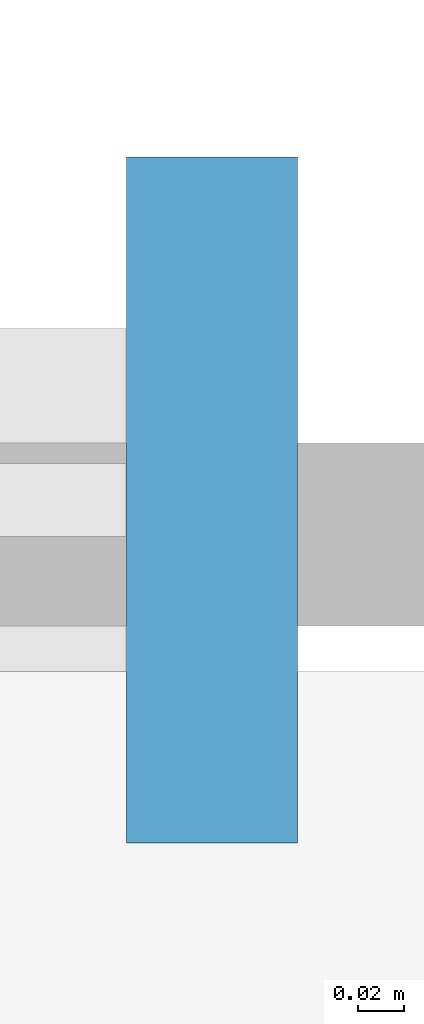
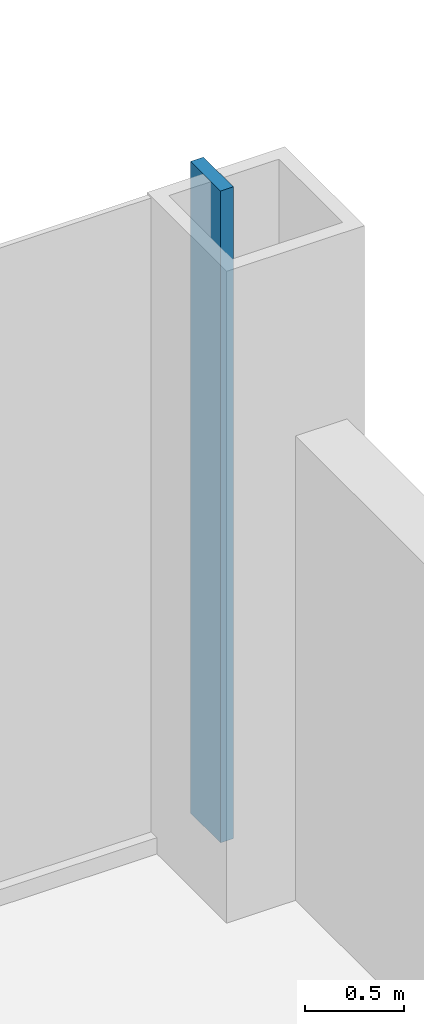
# One storey, part 5 of 17: 1 member, 1 element without a shape of its own.
"""IFC4 building model written with IfcOpenShell, lengths in metres."""

from ifc_helpers import new_model, si_unit, direction, frame, origin, origin_2d, place, context, subcontext, project, spatial, rectangle, extrude, material, layer, layer_set, material_profile, profile_set, type_object, element, aggregate, save


model = new_model("IFC4")

# Units and contexts
model_context = context("Model", 3, precision=1e-05, world=origin(), true_north=direction((0.0, 1.0)))
body_context = subcontext(model_context, "Body", "Model", "MODEL_VIEW")
ifc_project = project(units=[si_unit("LENGTHUNIT", "METRE"), si_unit("AREAUNIT", "SQUARE_METRE"), si_unit("VOLUMEUNIT", "CUBIC_METRE"), si_unit("PLANEANGLEUNIT", "RADIAN"), si_unit("MASSUNIT", "GRAM", prefix="KILO")], contexts=[model_context])

# Site, building, storey
site_placement = place(None, origin())
site = spatial("IfcSite", under=ifc_project, at=site_placement, CompositionType="ELEMENT")
building_placement = place(site_placement, origin())
building = spatial("IfcBuilding", under=site, at=building_placement, Name="Malebo Sky Hospital", CompositionType="ELEMENT")
storey_placement = place(building_placement, frame((0.0, 0.0, 237.0)))
storey = spatial("IfcBuildingStorey", under=building, at=storey_placement, Name="L57", CompositionType="ELEMENT", Elevation=237.0)

# Curtain wall, member
ifc_material = material(Name="Anodised aluminium, natural silver", Category="aluminium")
ifc_layer = layer(ifc_material, 0.25)
ifc_layer_set = layer_set([ifc_layer], Name="WARD CURTAIN WALL NORTH AND SOUTH")
curtain_wall_type = type_object("IfcCurtainWallType", Name="WARD CURTAIN WALL NORTH AND SOUTH", PredefinedType="NOTDEFINED", material=ifc_layer_set)
curtain_wall_placement = place(storey_placement, origin())
curtain_wall = element("IfcCurtainWall", 1, at=curtain_wall_placement, inside=storey, type_object=curtain_wall_type, Name="NS curtain wall N", PredefinedType="NOTDEFINED")
ifc_material_profile = material_profile(ifc_material, rectangle(XDim=0.074951171875, YDim=0.300048828125, at=origin_2d()), Name="CW1 ALUMINIUM FIN MULLION 75x300")
ifc_profile_set = profile_set([ifc_material_profile], Name="Anodised aluminium, natural silver")
member_type = type_object("IfcMemberType", Name="CW1 ALUMINIUM FIN MULLION 75x300", PredefinedType="MULLION", material=ifc_profile_set)
member_placement = place(storey_placement, frame((77.66259765625, 84.574951171875, 0.0), z_axis=(0.0, 0.0, 1.0), x_axis=(1.0, 0.0, 0.0)))
member = element("IfcMember", 2, at=member_placement, type_object=member_type, Name="Fin mullion 14", PredefinedType="MULLION", context=body_context, shape_type="SweptSolid", body=[
    extrude(rectangle(XDim=0.074951171875, YDim=0.300048828125, at=origin_2d()), origin(), (0.0, 0.0, 1.0), 4.0),
])
aggregate(curtain_wall, [member])

save(model, "model.ifc")
